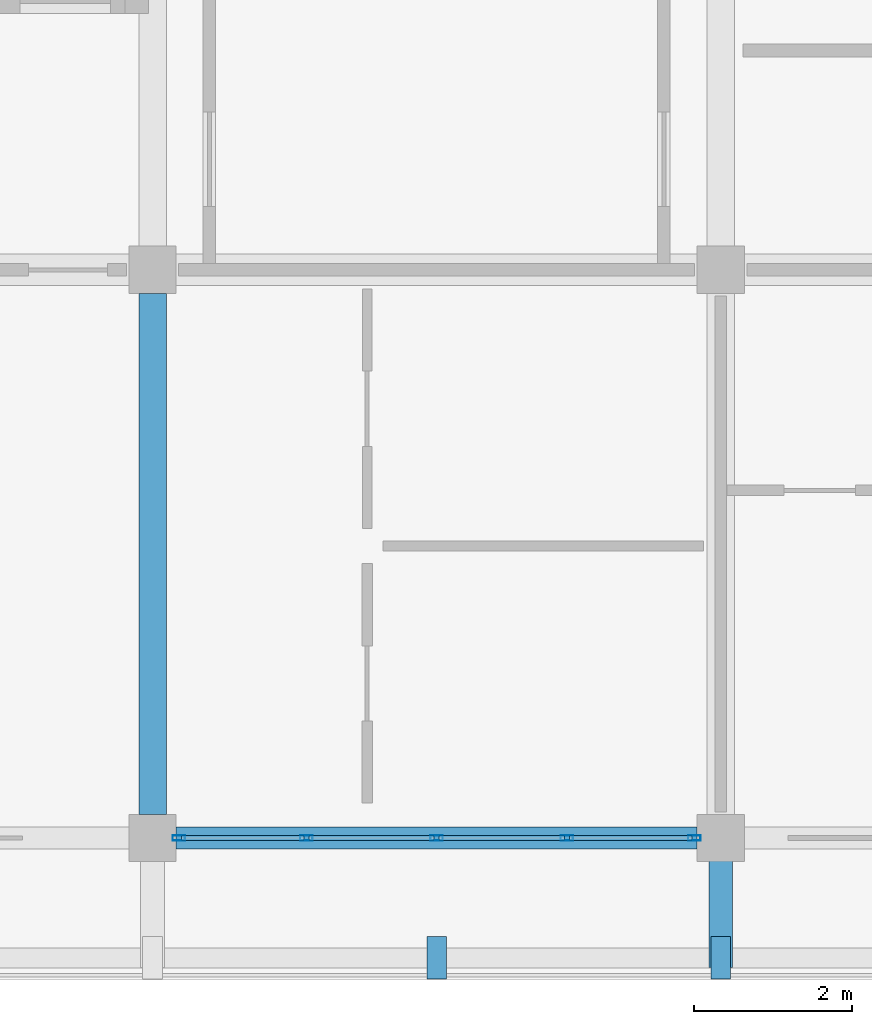
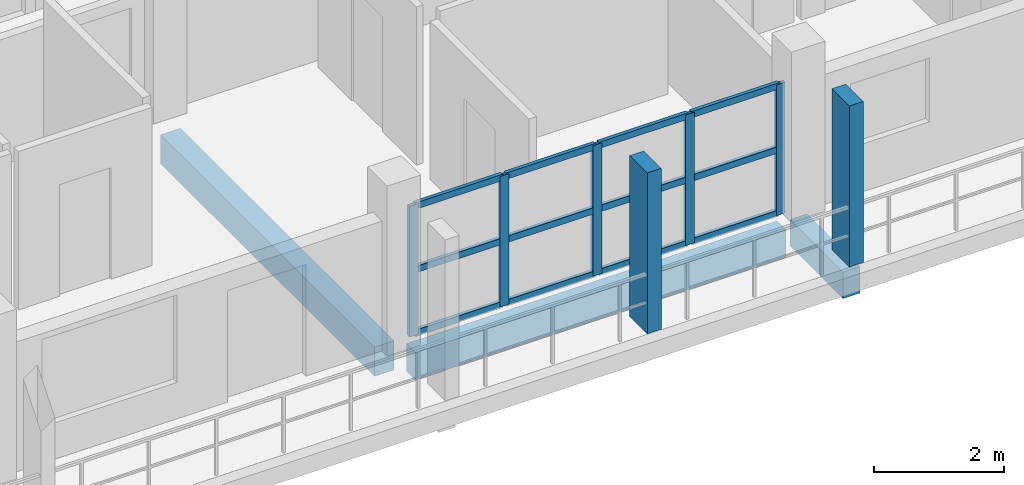
# One storey, part 23 of 76: 19 members, 3 beams, 1 element without a shape of its own.
"""IFC4 building model written with IfcOpenShell, lengths in metres."""

from ifc_helpers import new_model, si_unit, direction, frame, origin, origin_2d, place, context, subcontext, project, spatial, rectangle, hollow_rectangle, extrude, material, material_profile, profile_set, type_object, element, aggregate, save


model = new_model("IFC4")

# Units and contexts
model_context = context("Model", 3, precision=1e-05, world=origin(), true_north=direction((0.0, 1.0)))
body_context = subcontext(model_context, "Body", "Model", "MODEL_VIEW")
ifc_project = project(units=[si_unit("LENGTHUNIT", "METRE"), si_unit("AREAUNIT", "SQUARE_METRE"), si_unit("VOLUMEUNIT", "CUBIC_METRE"), si_unit("PLANEANGLEUNIT", "RADIAN"), si_unit("MASSUNIT", "GRAM", prefix="KILO")], contexts=[model_context])

# Site, building, storey
site_placement = place(None, origin())
site = spatial("IfcSite", under=ifc_project, at=site_placement, CompositionType="ELEMENT")
building_placement = place(site_placement, origin())
building = spatial("IfcBuilding", under=site, at=building_placement, Name="Suanplinth Sawtooth Commons", CompositionType="ELEMENT")
storey_placement = place(building_placement, frame((0.0, 0.0, 12.199951171875)))
storey = spatial("IfcBuildingStorey", under=building, at=storey_placement, Name="L03", CompositionType="ELEMENT", Elevation=12.199951171875)

# Beams
ifc_material_1 = material(Name="Precast concrete C40/50", Category="concrete")
ifc_material_profile_1 = material_profile(ifc_material_1, rectangle(XDim=0.35009765625, YDim=0.550048828125, at=origin_2d()), Name="PC-BM 350x550")
ifc_profile_set_1 = profile_set([ifc_material_profile_1], Name="Precast concrete C40/50")
beam_type_1 = type_object("IfcBeamType", Name="B-06", PredefinedType="BEAM", material=ifc_profile_set_1)
beam_1_placement = place(storey_placement, frame((144.0, 0.300048828125, -0.514892578125), z_axis=(0.0, 1.0, 0.0), x_axis=(-1.0, 0.0, 0.0)))
element("IfcBeam", 1, at=beam_1_placement, inside=storey, type_object=beam_type_1, Name="BMY-L03-C-20-0", PredefinedType="BEAM", context=body_context, shape_type="SweptSolid", body=[
    extrude(rectangle(XDim=0.35009765625, YDim=0.550048828125, at=origin_2d()), origin(), (0.0, 0.0, 1.0), 6.599853515625),
])
ifc_material_profile_2 = material_profile(ifc_material_1, rectangle(XDim=0.300048828125, YDim=0.5, at=origin_2d()), Name="PC-BM 300x500")
ifc_profile_set_2 = profile_set([ifc_material_profile_2], Name="Precast concrete C40/50")
beam_type_2 = type_object("IfcBeamType", Name="B-07", PredefinedType="BEAM", material=ifc_profile_set_2)
beam_2_placement = place(storey_placement, frame((151.199951171875, 0.0, -0.429931640625), z_axis=(0.0, -1.0, 0.0), x_axis=(1.0, 0.0, 0.0)))
element("IfcBeam", 2, at=beam_2_placement, inside=storey, type_object=beam_type_2, Name="Balcony Outrigger L03-C-S-21", PredefinedType="BEAM", context=body_context, shape_type="SweptSolid", body=[
    extrude(rectangle(XDim=0.300048828125, YDim=0.5, at=origin_2d()), origin(), (0.0, 0.0, 1.0), 1.639892578125),
])
ifc_material_profile_3 = material_profile(ifc_material_1, rectangle(XDim=0.280029296875, YDim=0.52001953125, at=origin_2d()), Name="PC-SP 280x520")
ifc_profile_set_3 = profile_set([ifc_material_profile_3], Name="Precast concrete C40/50")
beam_type_3 = type_object("IfcBeamType", Name="B-08", PredefinedType="SPANDREL", material=ifc_profile_set_3)
beam_3_placement = place(storey_placement, frame((144.300048828125, 0.0, -0.5), z_axis=(1.0, 0.0, 0.0), x_axis=(0.0, 1.0, 0.0)))
element("IfcBeam", 3, at=beam_3_placement, inside=storey, type_object=beam_type_3, Name="BMX-L03-C-20-0", PredefinedType="SPANDREL", context=body_context, shape_type="SweptSolid", body=[
    extrude(rectangle(XDim=0.280029296875, YDim=0.52001953125, at=origin_2d()), origin(), (0.0, 0.0, 1.0), 6.599853515625),
])

# Members
ifc_material_2 = material(Name="Pigmented precast concrete C40/50", Category="concrete")
ifc_material_profile_4 = material_profile(ifc_material_2, rectangle(XDim=0.25, YDim=0.5400390625, at=origin_2d()), Name="PC-FIN 250x540")
ifc_profile_set_4 = profile_set([ifc_material_profile_4], Name="Pigmented precast concrete C40/50")
member_type_1 = type_object("IfcMemberType", Name="M-11", PredefinedType="USERDEFINED", material=ifc_profile_set_4)
for number, where, z_axis, x_axis, name in (
    (4, (147.60009765625, -1.52001953125, 0.0), (0.0, 0.0, 1.0), (1.0, 0.0, 0.0), "Upright Solar Blade L03-C-S-04"),
    (5, (151.199951171875, -1.52001953125, 0.0), (0.0, 0.0, 1.0), (1.0, 0.0, 0.0), "Upright Solar Blade L03-C-S-05"),
):
    element("IfcMember", number, at=place(storey_placement, frame(where, z_axis=z_axis, x_axis=x_axis)), inside=storey, type_object=member_type_1, Name=name, ObjectType="SHADING FIN", PredefinedType="USERDEFINED", context=body_context, shape_type="SweptSolid", body=[
        extrude(rectangle(XDim=0.25, YDim=0.5400390625, at=origin_2d()), origin(), (0.0, 0.0, 1.0), 3.030029296875),
    ])

# Curtain wall, members
ifc_material_3 = material(Name="Anodized aluminium and low-E glazing", Category="aluminium")
curtain_wall_type = type_object("IfcCurtainWallType", Name="CW-06", PredefinedType="USERDEFINED", material=ifc_material_3)
curtain_wall_placement = place(storey_placement, origin())
curtain_wall = element("IfcCurtainWall", 6, at=curtain_wall_placement, inside=storey, type_object=curtain_wall_type, Name="Curtain Wall CW-L03-C-LOUNGE-20", ObjectType="CURTAIN WALL", PredefinedType="USERDEFINED")
ifc_material_4 = material(Name="Anodized aluminium 6063-T6", Category="aluminium")
ifc_material_profile_5 = material_profile(ifc_material_4, hollow_rectangle(XDim=0.06494140625, YDim=0.159912109375, WallThickness=0.00390625, at=origin_2d()), Name="ALU-MUL 65x160")
ifc_profile_set_5 = profile_set([ifc_material_profile_5], Name="Anodized aluminium 6063-T6")
member_type_2 = type_object("IfcMemberType", Name="M-13", PredefinedType="MULLION", material=ifc_profile_set_5)
member_1_placement = place(storey_placement, frame((144.33251953125, 0.0, 0.0), z_axis=(0.0, 0.0, 1.0), x_axis=(0.0, 1.0, 0.0)))
member_1 = element("IfcMember", 7, at=member_1_placement, type_object=member_type_2, Name="CW-06 mullion 1", PredefinedType="MULLION", context=body_context, shape_type="SweptSolid", body=[
    extrude(hollow_rectangle(XDim=0.06494140625, YDim=0.159912109375, WallThickness=0.00390625, at=origin_2d()), origin(), (0.0, 0.0, 1.0), 2.4599609375),
])
member_2_placement = place(storey_placement, frame((145.949951171875, 0.0, 0.0), z_axis=(0.0, 0.0, 1.0), x_axis=(0.0, 1.0, 0.0)))
member_2 = element("IfcMember", 8, at=member_2_placement, type_object=member_type_2, Name="CW-06 mullion 2", PredefinedType="MULLION", context=body_context, shape_type="SweptSolid", body=[
    extrude(hollow_rectangle(XDim=0.06494140625, YDim=0.159912109375, WallThickness=0.00390625, at=origin_2d()), origin(), (0.0, 0.0, 1.0), 2.4599609375),
])
member_3_placement = place(storey_placement, frame((147.60009765625, 0.0, 0.0), z_axis=(0.0, 0.0, 1.0), x_axis=(0.0, 1.0, 0.0)))
member_3 = element("IfcMember", 9, at=member_3_placement, type_object=member_type_2, Name="CW-06 mullion 3", PredefinedType="MULLION", context=body_context, shape_type="SweptSolid", body=[
    extrude(hollow_rectangle(XDim=0.06494140625, YDim=0.159912109375, WallThickness=0.00390625, at=origin_2d()), origin(), (0.0, 0.0, 1.0), 2.4599609375),
])
member_4_placement = place(storey_placement, frame((149.25, 0.0, 0.0), z_axis=(0.0, 0.0, 1.0), x_axis=(0.0, 1.0, 0.0)))
member_4 = element("IfcMember", 10, at=member_4_placement, type_object=member_type_2, Name="CW-06 mullion 4", PredefinedType="MULLION", context=body_context, shape_type="SweptSolid", body=[
    extrude(hollow_rectangle(XDim=0.06494140625, YDim=0.159912109375, WallThickness=0.00390625, at=origin_2d()), origin(), (0.0, 0.0, 1.0), 2.4599609375),
])
member_5_placement = place(storey_placement, frame((150.867431640625, 0.0, 0.0), z_axis=(0.0, 0.0, 1.0), x_axis=(0.0, 1.0, 0.0)))
member_5 = element("IfcMember", 11, at=member_5_placement, type_object=member_type_2, Name="CW-06 mullion 5", PredefinedType="MULLION", context=body_context, shape_type="SweptSolid", body=[
    extrude(hollow_rectangle(XDim=0.06494140625, YDim=0.159912109375, WallThickness=0.00390625, at=origin_2d()), origin(), (0.0, 0.0, 1.0), 2.4599609375),
])
ifc_material_profile_6 = material_profile(ifc_material_4, hollow_rectangle(XDim=0.06494140625, YDim=0.1201171875, WallThickness=0.00390625, at=origin_2d()), Name="ALU-TRN 65x120")
ifc_profile_set_6 = profile_set([ifc_material_profile_6], Name="Anodized aluminium 6063-T6")
member_type_3 = type_object("IfcMemberType", Name="M-15", PredefinedType="USERDEFINED", material=ifc_profile_set_6)
member_6_placement = place(storey_placement, frame((144.364990234375, 0.0, 0.032470703125), z_axis=(1.0, 0.0, 0.0), x_axis=(0.0, 1.0, 0.0)))
member_6 = element("IfcMember", 12, at=member_6_placement, type_object=member_type_3, Name="CW-06 transom 1.1", ObjectType="TRANSOM", PredefinedType="USERDEFINED", context=body_context, shape_type="SweptSolid", body=[
    extrude(hollow_rectangle(XDim=0.06494140625, YDim=0.1201171875, WallThickness=0.00390625, at=origin_2d()), origin(), (0.0, 0.0, 1.0), 1.552490234375),
])
member_7_placement = place(storey_placement, frame((144.364990234375, 0.0, 1.22998046875), z_axis=(1.0, 0.0, 0.0), x_axis=(0.0, 1.0, 0.0)))
member_7 = element("IfcMember", 13, at=member_7_placement, type_object=member_type_3, Name="CW-06 transom 1.2", ObjectType="TRANSOM", PredefinedType="USERDEFINED", context=body_context, shape_type="SweptSolid", body=[
    extrude(hollow_rectangle(XDim=0.06494140625, YDim=0.1201171875, WallThickness=0.00390625, at=origin_2d()), origin(), (0.0, 0.0, 1.0), 1.552490234375),
])
member_8_placement = place(storey_placement, frame((144.364990234375, 0.0, 2.427490234375), z_axis=(1.0, 0.0, 0.0), x_axis=(0.0, 1.0, 0.0)))
member_8 = element("IfcMember", 14, at=member_8_placement, type_object=member_type_3, Name="CW-06 transom 1.3", ObjectType="TRANSOM", PredefinedType="USERDEFINED", context=body_context, shape_type="SweptSolid", body=[
    extrude(hollow_rectangle(XDim=0.06494140625, YDim=0.1201171875, WallThickness=0.00390625, at=origin_2d()), origin(), (0.0, 0.0, 1.0), 1.552490234375),
])
member_9_placement = place(storey_placement, frame((145.982421875, 0.0, 0.032470703125), z_axis=(1.0, 0.0, 0.0), x_axis=(0.0, 1.0, 0.0)))
member_9 = element("IfcMember", 15, at=member_9_placement, type_object=member_type_3, Name="CW-06 transom 2.1", ObjectType="TRANSOM", PredefinedType="USERDEFINED", context=body_context, shape_type="SweptSolid", body=[
    extrude(hollow_rectangle(XDim=0.06494140625, YDim=0.1201171875, WallThickness=0.00390625, at=origin_2d()), origin(), (0.0, 0.0, 1.0), 1.5849609375),
])
member_10_placement = place(storey_placement, frame((145.982421875, 0.0, 1.22998046875), z_axis=(1.0, 0.0, 0.0), x_axis=(0.0, 1.0, 0.0)))
member_10 = element("IfcMember", 16, at=member_10_placement, type_object=member_type_3, Name="CW-06 transom 2.2", ObjectType="TRANSOM", PredefinedType="USERDEFINED", context=body_context, shape_type="SweptSolid", body=[
    extrude(hollow_rectangle(XDim=0.06494140625, YDim=0.1201171875, WallThickness=0.00390625, at=origin_2d()), origin(), (0.0, 0.0, 1.0), 1.5849609375),
])
member_11_placement = place(storey_placement, frame((145.982421875, 0.0, 2.427490234375), z_axis=(1.0, 0.0, 0.0), x_axis=(0.0, 1.0, 0.0)))
member_11 = element("IfcMember", 17, at=member_11_placement, type_object=member_type_3, Name="CW-06 transom 2.3", ObjectType="TRANSOM", PredefinedType="USERDEFINED", context=body_context, shape_type="SweptSolid", body=[
    extrude(hollow_rectangle(XDim=0.06494140625, YDim=0.1201171875, WallThickness=0.00390625, at=origin_2d()), origin(), (0.0, 0.0, 1.0), 1.5849609375),
])
member_12_placement = place(storey_placement, frame((147.632568359375, 0.0, 0.032470703125), z_axis=(1.0, 0.0, 0.0), x_axis=(0.0, 1.0, 0.0)))
member_12 = element("IfcMember", 18, at=member_12_placement, type_object=member_type_3, Name="CW-06 transom 3.1", ObjectType="TRANSOM", PredefinedType="USERDEFINED", context=body_context, shape_type="SweptSolid", body=[
    extrude(hollow_rectangle(XDim=0.06494140625, YDim=0.1201171875, WallThickness=0.00390625, at=origin_2d()), origin(), (0.0, 0.0, 1.0), 1.5849609375),
])
member_13_placement = place(storey_placement, frame((147.632568359375, 0.0, 1.22998046875), z_axis=(1.0, 0.0, 0.0), x_axis=(0.0, 1.0, 0.0)))
member_13 = element("IfcMember", 19, at=member_13_placement, type_object=member_type_3, Name="CW-06 transom 3.2", ObjectType="TRANSOM", PredefinedType="USERDEFINED", context=body_context, shape_type="SweptSolid", body=[
    extrude(hollow_rectangle(XDim=0.06494140625, YDim=0.1201171875, WallThickness=0.00390625, at=origin_2d()), origin(), (0.0, 0.0, 1.0), 1.5849609375),
])
member_14_placement = place(storey_placement, frame((147.632568359375, 0.0, 2.427490234375), z_axis=(1.0, 0.0, 0.0), x_axis=(0.0, 1.0, 0.0)))
member_14 = element("IfcMember", 20, at=member_14_placement, type_object=member_type_3, Name="CW-06 transom 3.3", ObjectType="TRANSOM", PredefinedType="USERDEFINED", context=body_context, shape_type="SweptSolid", body=[
    extrude(hollow_rectangle(XDim=0.06494140625, YDim=0.1201171875, WallThickness=0.00390625, at=origin_2d()), origin(), (0.0, 0.0, 1.0), 1.5849609375),
])
member_15_placement = place(storey_placement, frame((149.282470703125, 0.0, 0.032470703125), z_axis=(1.0, 0.0, 0.0), x_axis=(0.0, 1.0, 0.0)))
member_15 = element("IfcMember", 21, at=member_15_placement, type_object=member_type_3, Name="CW-06 transom 4.1", ObjectType="TRANSOM", PredefinedType="USERDEFINED", context=body_context, shape_type="SweptSolid", body=[
    extrude(hollow_rectangle(XDim=0.06494140625, YDim=0.1201171875, WallThickness=0.00390625, at=origin_2d()), origin(), (0.0, 0.0, 1.0), 1.552490234375),
])
member_16_placement = place(storey_placement, frame((149.282470703125, 0.0, 1.22998046875), z_axis=(1.0, 0.0, 0.0), x_axis=(0.0, 1.0, 0.0)))
member_16 = element("IfcMember", 22, at=member_16_placement, type_object=member_type_3, Name="CW-06 transom 4.2", ObjectType="TRANSOM", PredefinedType="USERDEFINED", context=body_context, shape_type="SweptSolid", body=[
    extrude(hollow_rectangle(XDim=0.06494140625, YDim=0.1201171875, WallThickness=0.00390625, at=origin_2d()), origin(), (0.0, 0.0, 1.0), 1.552490234375),
])
member_17_placement = place(storey_placement, frame((149.282470703125, 0.0, 2.427490234375), z_axis=(1.0, 0.0, 0.0), x_axis=(0.0, 1.0, 0.0)))
member_17 = element("IfcMember", 23, at=member_17_placement, type_object=member_type_3, Name="CW-06 transom 4.3", ObjectType="TRANSOM", PredefinedType="USERDEFINED", context=body_context, shape_type="SweptSolid", body=[
    extrude(hollow_rectangle(XDim=0.06494140625, YDim=0.1201171875, WallThickness=0.00390625, at=origin_2d()), origin(), (0.0, 0.0, 1.0), 1.552490234375),
])
aggregate(curtain_wall, [member_1, member_2, member_3, member_4, member_5, member_6, member_7, member_8, member_9, member_10, member_11, member_12, member_13, member_14, member_15, member_16, member_17])

save(model, "model.ifc")
